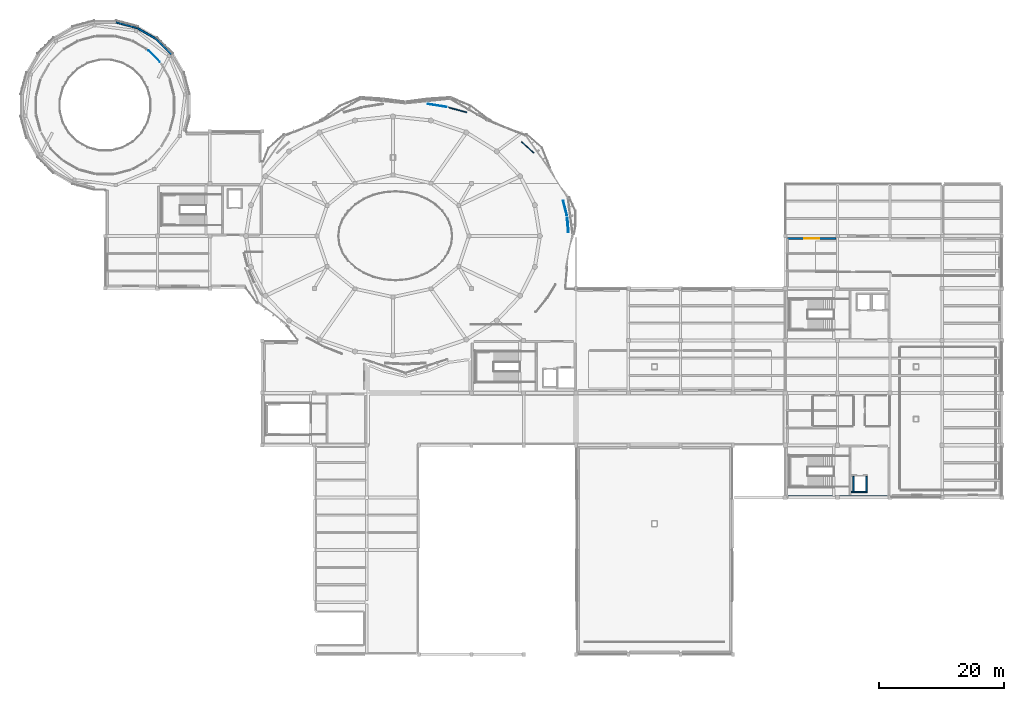
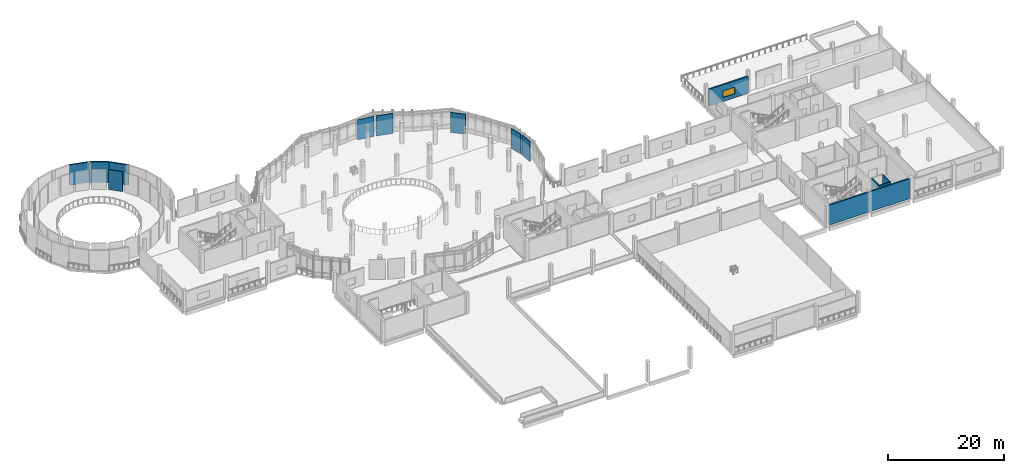
# One storey, part 31 of 46: 14 walls, 1 window, 1 opening.
"""IFC4 building model written with IfcOpenShell, lengths in metres."""

from ifc_helpers import new_model, si_unit, derived_unit, direction, frame, frame_2d, origin, place, context, subcontext, project, spatial, rectangle, extrude, material, layer, layer_set, type_object, element, fill, save


model = new_model("IFC4")

# Units and contexts
model_context = context("Model", 3, precision=1e-05, world=origin(), true_north=direction((0.0, 1.0)))
body_context = subcontext(model_context, "Body", "Model", "MODEL_VIEW")
ifc_project = project(units=[si_unit("LENGTHUNIT", "METRE"), si_unit("AREAUNIT", "SQUARE_METRE"), si_unit("VOLUMEUNIT", "CUBIC_METRE"), si_unit("PLANEANGLEUNIT", "RADIAN"), si_unit("MASSUNIT", "GRAM", prefix="KILO"), derived_unit("THERMALTRANSMITTANCEUNIT", [(si_unit("POWERUNIT", "WATT"), 1), (si_unit("LENGTHUNIT", "METRE"), -2), (si_unit("THERMODYNAMICTEMPERATUREUNIT", "KELVIN"), -1)])], contexts=[model_context])

# Site, building, storey
site_placement = place(None, origin())
site = spatial("IfcSite", under=ifc_project, at=site_placement, CompositionType="ELEMENT")
building_placement = place(site_placement, origin())
building = spatial("IfcBuilding", under=site, at=building_placement, Name="Elbkamm Science Centre", CompositionType="ELEMENT")
storey_placement = place(building_placement, frame((0.0, 0.0, 9.89990234375)))
storey = spatial("IfcBuildingStorey", under=building, at=storey_placement, Name="L02", CompositionType="ELEMENT", Elevation=9.89990234375)

# Walls
ifc_material_1 = material(Name="Reinforced concrete C40/50", Category="concrete")
ifc_layer_1 = layer(ifc_material_1, 0.300048828125)
ifc_layer_set_1 = layer_set([ifc_layer_1], Name="Reinforced concrete C40/50")
wall_type_1 = type_object("IfcWallType", Name="WL-CORE-300", PredefinedType="SHEAR", material=ifc_layer_set_1)
wall_1_placement = place(storey_placement, frame((126.449951171875, 25.35009765625, 0.0), z_axis=(0.0, 0.0, 1.0), x_axis=(1.0, 0.0, 0.0)))
element("IfcWall", 1, at=wall_1_placement, inside=storey, type_object=wall_type_1, Name="L02 Core C4 Southeast Workshops and Library Core Shear Wall S", PredefinedType="SHEAR", context=body_context, shape_type="SweptSolid", body=[
    extrude(rectangle(XDim=15.929931640625, YDim=0.300048828125, at=frame_2d((7.96484375, 0.0))), origin(), (0.0, 0.0, 1.0), 4.22021484375),
])
ifc_material_2 = material(Name="White precast concrete C40/50", Category="concrete")
ifc_layer_2 = layer(ifc_material_2, 0.27001953125)
ifc_layer_set_2 = layer_set([ifc_layer_2], Name="White precast concrete C40/50")
wall_type_2 = type_object("IfcWallType", Name="WL-EXT-270", PredefinedType="SOLIDWALL", material=ifc_layer_set_2)
for number, where, z_axis, x_axis, name in (
    (2, (18.55126953125, 101.501953125, 0.0), (0.0, 0.0, 1.0), (0.965925337635, -0.258820868777, 0.0), "L02 Exterior Wall 0217"),
    (3, (24.967529296875, 98.84423828125, 0.0), (0.0, 0.0, 1.0), (0.707106781187, -0.707106781187, 0.0), "L02 Exterior Wall 0219"),
):
    element("IfcWall", number, at=place(storey_placement, frame(where, z_axis=z_axis, x_axis=x_axis)), inside=storey, type_object=wall_type_2, Name=name, PredefinedType="SOLIDWALL", context=body_context, shape_type="SweptSolid", body=[
        extrude(rectangle(XDim=3.50244140625, YDim=0.27001953125, at=frame_2d((1.751220703125, 0.0))), origin(), (0.0, 0.0, 1.0), 4.2900390625),
    ])
ifc_layer_3 = layer(ifc_material_2, 0.2900390625)
ifc_layer_set_3 = layer_set([ifc_layer_3], Name="White precast concrete C40/50")
wall_type_3 = type_object("IfcWallType", Name="WL-EXT-290", PredefinedType="SOLIDWALL", material=ifc_layer_set_3)
wall_2_placement = place(storey_placement, frame((21.934326171875, 100.595458984375, 0.0), z_axis=(0.0, 0.0, 1.0), x_axis=(0.86602539607, -0.500000013362, 0.0)))
element("IfcWall", 4, at=wall_2_placement, inside=storey, type_object=wall_type_3, Name="L02 Exterior Wall 0218", PredefinedType="SOLIDWALL", context=body_context, shape_type="SweptSolid", body=[
    extrude(rectangle(XDim=3.50244140625, YDim=0.2900390625, at=frame_2d((1.751220703125, 0.0))), origin(), (0.0, 0.0, 1.0), 4.2900390625),
])

# Wall, opening, window
wall_3_placement = place(storey_placement, frame((126.3798828125, 66.820068359375, 0.0), z_axis=(0.0, 0.0, 1.0), x_axis=(1.0, 0.0, 0.0)))
wall_3 = element("IfcWall", 5, at=wall_3_placement, inside=storey, type_object=wall_type_3, Name="L02 Exterior Wall 0232", PredefinedType="SOLIDWALL", context=body_context, shape_type="SweptSolid", body=[
    extrude(rectangle(XDim=7.781005859375, YDim=0.2900390625, at=frame_2d((3.890625, 0.0))), origin(), (0.0, 0.0, 1.0), 3.580078125),
])
opening_placement = place(wall_3_placement, frame((2.6904296875, 0.0, 0.85009765625)))
opening = element("IfcOpeningElement", 6, at=opening_placement, cuts=wall_3, Name="Opening W-07", PredefinedType="OPENING", context=body_context, shape_type="SweptSolid", body=[
    extrude(rectangle(XDim=2.39990234375, YDim=1.39990234375, at=frame_2d((1.199951171875, 0.699951171875))), frame((0.0, 0.156982421875, 0.0), z_axis=(0.0, -1.0, 0.0), x_axis=(1.0, 0.0, 0.0)), (0.0, 0.0, 1.0), 0.31396484375),
])
ifc_material_3 = material(Name="Thermally broken aluminium and triple solar glass", Category="aluminium")
ifc_layer_4 = layer(ifc_material_3, 0.06005859375)
ifc_layer_set_4 = layer_set([ifc_layer_4], Name="Thermally broken aluminium and triple solar glass")
window_type = type_object("IfcWindowType", Name="WIN-2400x1400", PartitioningType="DOUBLE_PANEL_VERTICAL", PredefinedType="WINDOW", material=ifc_layer_set_4)
window_placement = place(opening_placement, origin())
window = element("IfcWindow", 7, at=window_placement, inside=storey, type_object=window_type, Name="L02 Facade Window 0046", OverallHeight=1.39990234375, OverallWidth=2.39990234375, PartitioningType="SINGLE_PANEL", PredefinedType="WINDOW", context=body_context, shape_type="SweptSolid", body=[
    extrude(rectangle(XDim=2.39990234375, YDim=1.39990234375, at=frame_2d((1.199951171875, 0.699951171875))), frame((0.0, 0.030029296875, 0.0), z_axis=(0.0, -1.0, 0.0), x_axis=(1.0, 0.0, 0.0)), (0.0, 0.0, 1.0), 0.06005859375),
])
fill(opening, window)

# Walls
ifc_material_4 = material(Name="Drywall service partition", Category="gypsum")
ifc_layer_5 = layer(ifc_material_4, 0.10009765625)
ifc_layer_set_5 = layer_set([ifc_layer_5], Name="Drywall service partition")
wall_type_4 = type_object("IfcWallType", Name="WL-PART-100", PredefinedType="PARTITIONING", material=ifc_layer_set_5)
wall_4_placement = place(storey_placement, frame((23.745361328125, 96.958251953125, 0.0), z_axis=(0.0, 0.0, 1.0), x_axis=(0.707154392995, -0.707059166172, 0.0)))
element("IfcWall", 8, at=wall_4_placement, inside=storey, type_object=wall_type_4, Name="L02 Planetarium Acoustic Gallery Partition 0155", PredefinedType="PARTITIONING", context=body_context, shape_type="SweptSolid", body=[
    extrude(rectangle(XDim=2.563720703125, YDim=0.10009765625, at=frame_2d((1.28173828125, 0.0))), origin(), (0.0, 0.0, 1.0), 4.22021484375),
])
wall_5_placement = place(storey_placement, frame((68.59765625, 88.39208984375, 0.0), z_axis=(0.0, 0.0, 1.0), x_axis=(0.987512608984, -0.157539985708, 0.0)))
element("IfcWall", 9, at=wall_5_placement, inside=storey, type_object=wall_type_4, Name="L02 Earth and Climate Exhibition Hall Partition 0175", PredefinedType="PARTITIONING", context=body_context, shape_type="SweptSolid", body=[
    extrude(rectangle(XDim=3.043701171875, YDim=0.10009765625, at=frame_2d((1.52197265625, 0.0))), origin(), (0.0, 0.0, 1.0), 4.22021484375),
])
ifc_material_5 = material(Name="Lightweight metal-stud gypsum partition", Category="gypsum")
ifc_layer_6 = layer(ifc_material_5, 0.125)
ifc_layer_set_6 = layer_set([ifc_layer_6], Name="Lightweight metal-stud gypsum partition")
wall_type_5 = type_object("IfcWallType", Name="WL-PART-125", PredefinedType="PARTITIONING", material=ifc_layer_set_6)
wall_6_placement = place(storey_placement, frame((90.3505859375, 72.860595703125, 0.0), z_axis=(0.0, 0.0, 1.0), x_axis=(0.240918386261, -0.970545378208, 0.0)))
element("IfcWall", 10, at=wall_6_placement, inside=storey, type_object=wall_type_5, Name="L02 Earth and Climate Exhibition Hall Partition 0178", PredefinedType="PARTITIONING", context=body_context, shape_type="SweptSolid", body=[
    extrude(rectangle(XDim=2.415771484375, YDim=0.125, at=frame_2d((1.2080078125, 0.0))), origin(), (0.0, 0.0, 1.0), 4.22021484375),
])
ifc_material_6 = material(Name="Acoustic metal-stud gypsum partition", Category="gypsum")
ifc_layer_7 = layer(ifc_material_6, 0.139892578125)
ifc_layer_set_7 = layer_set([ifc_layer_7], Name="Acoustic metal-stud gypsum partition")
wall_type_6 = type_object("IfcWallType", Name="WL-PART-140", PredefinedType="PARTITIONING", material=ifc_layer_set_7)
wall_7_placement = place(storey_placement, frame((83.6591796875, 82.327880859375, 0.0), z_axis=(0.0, 0.0, 1.0), x_axis=(0.73811753605, -0.674672144804, 0.0)))
element("IfcWall", 11, at=wall_7_placement, inside=storey, type_object=wall_type_6, Name="L02 Earth and Climate Exhibition Hall Partition 0177", PredefinedType="PARTITIONING", context=body_context, shape_type="SweptSolid", body=[
    extrude(rectangle(XDim=2.701416015625, YDim=0.139892578125, at=frame_2d((1.3505859375, 0.0))), origin(), (0.0, 0.0, 1.0), 4.22021484375),
])
ifc_layer_8 = layer(ifc_material_6, 0.159912109375)
ifc_layer_set_8 = layer_set([ifc_layer_8], Name="Acoustic metal-stud gypsum partition")
wall_type_7 = type_object("IfcWallType", Name="WL-PART-160", PredefinedType="PARTITIONING", material=ifc_layer_set_8)
wall_8_placement = place(storey_placement, frame((90.990478515625, 70.16162109375, 0.0), z_axis=(0.0, 0.0, 1.0), x_axis=(0.081506955601, -0.996672772874, 0.0)))
element("IfcWall", 12, at=wall_8_placement, inside=storey, type_object=wall_type_7, Name="L02 Earth and Climate Exhibition Hall Partition 0160", PredefinedType="PARTITIONING", context=body_context, shape_type="SweptSolid", body=[
    extrude(rectangle(XDim=2.390380859375, YDim=0.159912109375, at=frame_2d((1.1953125, 0.0))), origin(), (0.0, 0.0, 1.0), 4.22021484375),
])
wall_9_placement = place(storey_placement, frame((71.954833984375, 87.837158203125, 0.0), z_axis=(0.0, 0.0, 1.0), x_axis=(0.964928729266, -0.262511994844, 0.0)))
element("IfcWall", 13, at=wall_9_placement, inside=storey, type_object=wall_type_7, Name="L02 Earth and Climate Exhibition Hall Partition 0176", PredefinedType="PARTITIONING", context=body_context, shape_type="SweptSolid", body=[
    extrude(rectangle(XDim=3.0029296875, YDim=0.159912109375, at=frame_2d((1.50146484375, 0.0))), origin(), (0.0, 0.0, 1.0), 4.22021484375),
])
ifc_layer_9 = layer(ifc_material_1, 0.219970703125)
ifc_layer_set_9 = layer_set([ifc_layer_9], Name="Reinforced concrete C40/50")
wall_type_8 = type_object("IfcWallType", Name="WL-SHAFT-220", PredefinedType="SOLIDWALL", material=ifc_layer_set_9)
for number, where, z_axis, x_axis, name in (
    (14, (136.93994140625, 26.199951171875, 0.0), (0.0, 0.0, 1.0), (0.0, 1.0, 0.0), "L02 Lift LP3 Shaft West Wall"),
    (15, (139.06005859375, 26.199951171875, 0.0), (0.0, 0.0, 1.0), (0.0, 1.0, 0.0), "L02 Lift LP3 Shaft East Wall"),
):
    element("IfcWall", number, at=place(storey_placement, frame(where, z_axis=z_axis, x_axis=x_axis)), inside=storey, type_object=wall_type_8, Name=name, PredefinedType="SOLIDWALL", context=body_context, shape_type="SweptSolid", body=[
        extrude(rectangle(XDim=2.400146484375, YDim=0.219970703125, at=frame_2d((1.2001953125, 0.0))), origin(), (0.0, 0.0, 1.0), 4.22021484375),
    ])
wall_10_placement = place(storey_placement, frame((136.56005859375, 26.090087890625, 0.0), z_axis=(0.0, 0.0, 1.0), x_axis=(1.0, 0.0, 0.0)))
element("IfcWall", 16, at=wall_10_placement, inside=storey, type_object=wall_type_8, Name="L02 Lift LP3 Shaft Back Wall", PredefinedType="SOLIDWALL", context=body_context, shape_type="SweptSolid", body=[
    extrude(rectangle(XDim=2.60986328125, YDim=0.219970703125, at=frame_2d((1.304931640625, 0.0))), origin(), (0.0, 0.0, 1.0), 4.22021484375),
])

save(model, "model.ifc")
